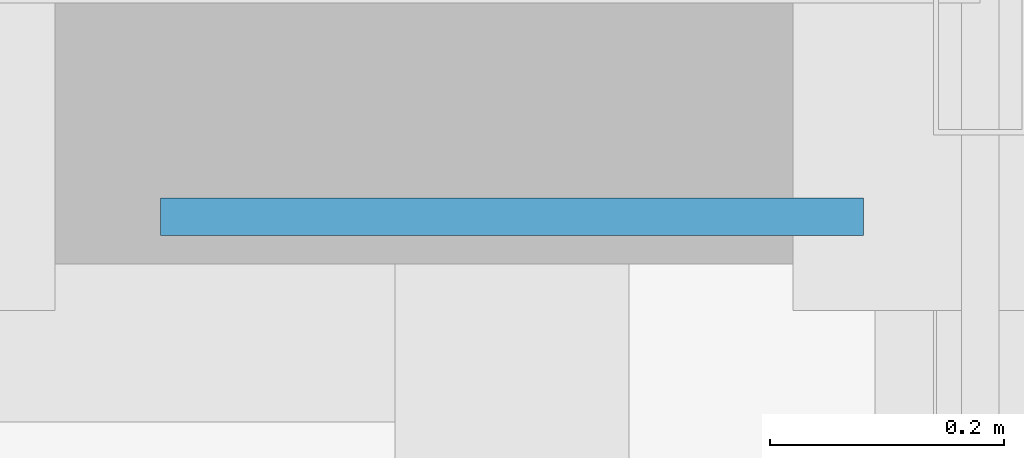
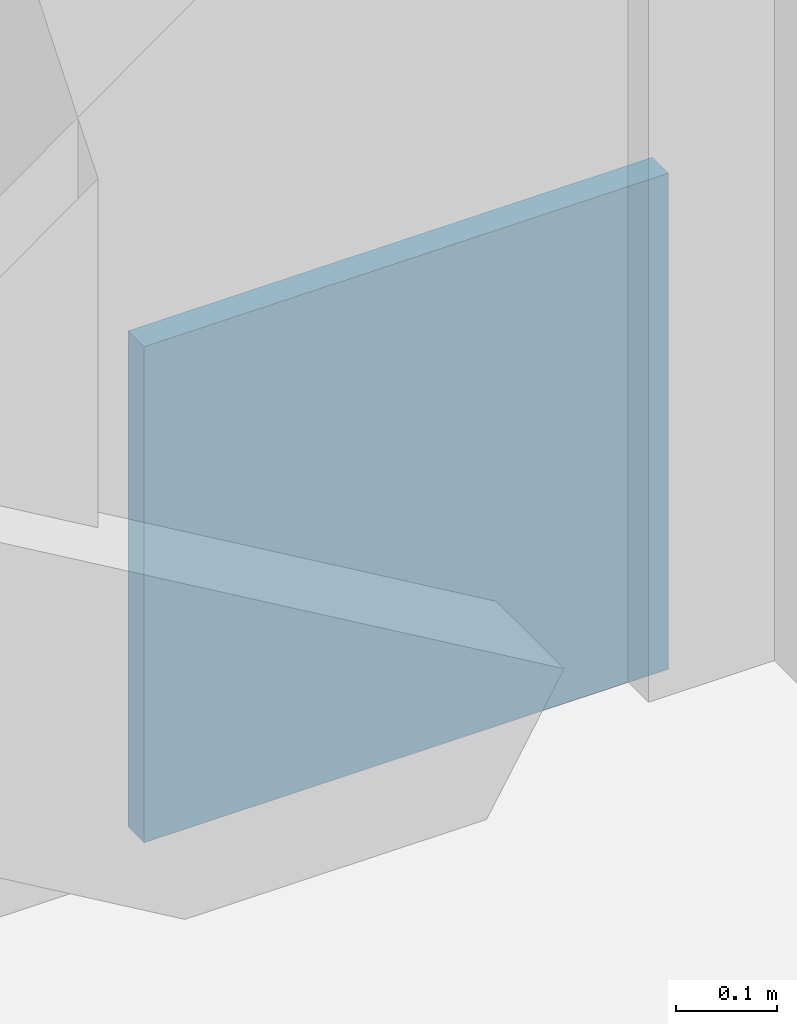
# One storey, part 24 of 28: 1 plate.
"""IFC4 building model written with IfcOpenShell, lengths in metres."""

from ifc_helpers import new_model, si_unit, direction, frame, origin, origin_2d, place, context, subcontext, project, spatial, rectangle, extrude, source, transform, mapped, material, layer, layer_set, type_object, element, save


model = new_model("IFC4")

# Units and contexts
model_context = context("Model", 3, precision=1e-05, world=origin(), true_north=direction((0.0, 1.0)))
body_context = subcontext(model_context, "Body", "Model", "MODEL_VIEW")
ifc_project = project(units=[si_unit("LENGTHUNIT", "METRE"), si_unit("AREAUNIT", "SQUARE_METRE"), si_unit("VOLUMEUNIT", "CUBIC_METRE"), si_unit("PLANEANGLEUNIT", "RADIAN"), si_unit("MASSUNIT", "GRAM", prefix="KILO")], contexts=[model_context])

# Site, building, storey
site_placement = place(None, origin())
site = spatial("IfcSite", under=ifc_project, at=site_placement, CompositionType="ELEMENT")
building_placement = place(site_placement, origin())
building = spatial("IfcBuilding", under=site, at=building_placement, Name="Trelvane Seafront Commons", CompositionType="ELEMENT")
storey_placement = place(building_placement, frame((0.0, 0.0, 312.300048828125)))
storey = spatial("IfcBuildingStorey", under=building, at=storey_placement, Name="L81", CompositionType="ELEMENT", Elevation=312.300048828125)

# Plate
ifc_material = material(Name="Steel SM355 (S355)", Category="steel")
ifc_layer = layer(ifc_material, 0.031982421875, Name="STR-PLT-GUS2")
ifc_layer_set = layer_set([ifc_layer], Name="Steel SM355 (S355)")
plate_type = type_object("IfcPlateType", Name="STR-PLT-GUS2", PredefinedType="SHEET", material=ifc_layer_set)
shared_shape = source(origin(), body_context, "Body", "SweptSolid", [
    extrude(rectangle(XDim=0.60009765625, YDim=0.031982421875, at=origin_2d()), origin(), (0.0, 0.0, 1.0), 0.60009765625),
])
plate_placement = place(storey_placement, frame((65.60009765625, 44.10009765625, -0.02001953125), z_axis=(0.0, 0.0, 1.0), x_axis=(1.0, 0.0, 0.0)))
element("IfcPlate", 1, at=plate_placement, inside=storey, type_object=plate_type, Name="L81 Brace Connection Gusset Plate GP-133", PredefinedType="SHEET", context=body_context, shape_type="MappedRepresentation", body=[
    mapped(shared_shape, transform((0.0, 0.0, 0.0), x_axis=(1.0, 0.0, 0.0), y_axis=(0.0, 1.0, 0.0), z_axis=(0.0, 0.0, 1.0), scale=1.0)),
])

save(model, "model.ifc")
